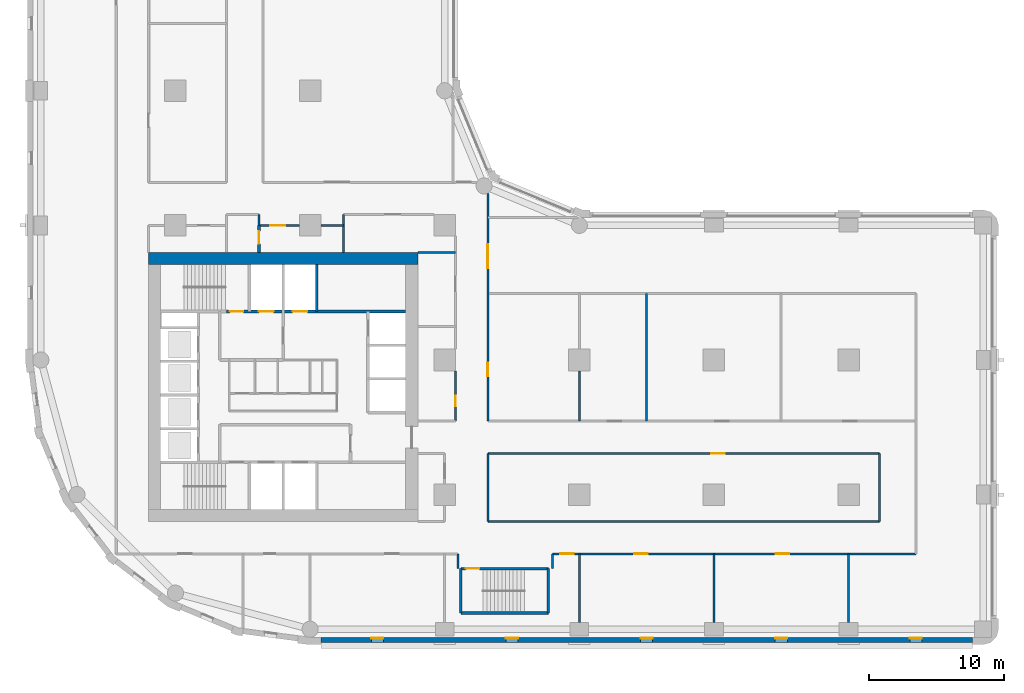
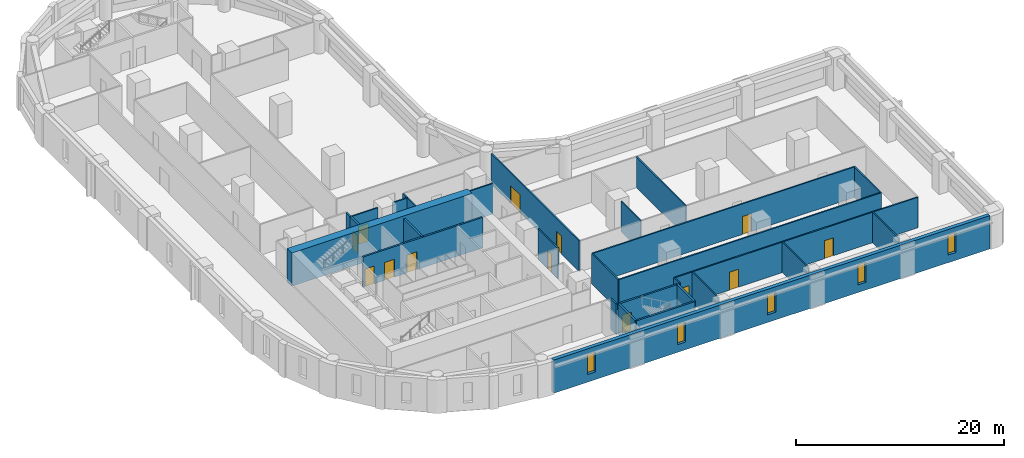
# One storey, part 4 of 11: 28 walls, 13 doors, 5 windows, 18 openings.
"""IFC4 building model written with IfcOpenShell, lengths in metres."""

from ifc_helpers import new_model, si_unit, direction, frame, frame_2d, origin, place, context, subcontext, project, spatial, rectangle, extrude, material, layer, layer_set, type_object, element, fill, save


model = new_model("IFC4")

# Units and contexts
model_context = context("Model", 3, precision=1e-05, world=origin(), true_north=direction((0.0, 1.0)))
body_context = subcontext(model_context, "Body", "Model", "MODEL_VIEW")
ifc_project = project(units=[si_unit("LENGTHUNIT", "METRE"), si_unit("AREAUNIT", "SQUARE_METRE"), si_unit("VOLUMEUNIT", "CUBIC_METRE"), si_unit("PLANEANGLEUNIT", "RADIAN"), si_unit("MASSUNIT", "GRAM", prefix="KILO")], contexts=[model_context])

# Site, building, storey
site_placement = place(None, origin())
site = spatial("IfcSite", under=ifc_project, at=site_placement, CompositionType="ELEMENT")
building_placement = place(site_placement, origin())
building = spatial("IfcBuilding", under=site, at=building_placement, Name="Qaws Garden Tower", CompositionType="ELEMENT")
storey_placement = place(building_placement, frame((0.0, 0.0, 90.0)))
storey = spatial("IfcBuildingStorey", under=building, at=storey_placement, Name="L22", CompositionType="ELEMENT", Elevation=90.0)

# Wall, opening, door
ifc_material_1 = material(Name="Blockwork", Category="masonry")
ifc_layer_1 = layer(ifc_material_1, 0.199951171875)
ifc_layer_set_1 = layer_set([ifc_layer_1], Name="Blockwork")
wall_type_1 = type_object("IfcWallType", Name="BLOCK WALL 200 EI 60", PredefinedType="PARTITIONING", material=ifc_layer_set_1)
wall_1_placement = place(storey_placement, frame((16.199951171875, 28.0, 0.0), z_axis=(0.0, 0.0, 1.0), x_axis=(0.0, 1.0, 0.0)))
wall_1 = element("IfcWall", 1, at=wall_1_placement, inside=storey, type_object=wall_type_1, Name="O-L22-wall-060", PredefinedType="PARTITIONING", context=body_context, shape_type="SweptSolid", body=[
    extrude(rectangle(XDim=2.0, YDim=0.199951171875, at=frame_2d((1.0, 0.0))), origin(), (0.0, 0.0, 1.0), 3.580078125),
])
opening_1_placement = place(wall_1_placement, frame((0.625, 0.0, 0.0)))
opening_1 = element("IfcOpeningElement", 2, at=opening_1_placement, cuts=wall_1, Name="Opening A726", PredefinedType="OPENING", context=body_context, shape_type="SweptSolid", body=[
    extrude(rectangle(XDim=0.949951171875, YDim=2.10009765625, at=frame_2d((0.47509765625, 1.050048828125))), frame((0.0, 0.10986328125, 0.0), z_axis=(0.0, -1.0, 0.0), x_axis=(1.0, 0.0, 0.0)), (0.0, 0.0, 1.0), 0.219970703125),
])
ifc_material_2 = material(Name="Timber and glass door leaf", Category="wood")
door_type_1 = type_object("IfcDoorType", Name="GLAZED DOOR 950 X 2100", OperationType="SINGLE_SWING_LEFT", PredefinedType="DOOR", material=ifc_material_2)
door_1_placement = place(opening_1_placement, origin())
door_1 = element("IfcDoor", 3, at=door_1_placement, inside=storey, type_object=door_type_1, Name="O-L22-door-026", OperationType="SINGLE_SWING_LEFT", OverallHeight=2.10009765625, OverallWidth=0.949951171875, PredefinedType="DOOR", context=body_context, shape_type="SweptSolid", body=[
    extrude(rectangle(XDim=0.949951171875, YDim=2.10009765625, at=frame_2d((0.47509765625, 1.050048828125))), frame((0.0, 0.02490234375, 0.0), z_axis=(0.0, -1.0, 0.0), x_axis=(1.0, 0.0, 0.0)), (0.0, 0.0, 1.0), 0.050048828125),
])
fill(opening_1, door_1)

# Wall, openings, windows
ifc_material_3 = material(Name="Clay facing brick masonry", Category="masonry")
ifc_layer_2 = layer(ifc_material_3, 0.39990234375)
ifc_layer_set_2 = layer_set([ifc_layer_2], Name="Clay facing brick masonry")
wall_type_2 = type_object("IfcWallType", Name="Brick infill wall 400", PredefinedType="SOLIDWALL", material=ifc_layer_set_2)
wall_2_placement = place(storey_placement, frame((20.800048828125, -0.800048828125, 0.0), z_axis=(0.0, 0.0, 1.0), x_axis=(1.0, 0.0, 0.0)))
wall_2 = element("IfcWall", 4, at=wall_2_placement, inside=storey, type_object=wall_type_2, Name="E-L22-infill-00", PredefinedType="SOLIDWALL", context=body_context, shape_type="SweptSolid", body=[
    extrude(rectangle(XDim=48.39990234375, YDim=0.39990234375, at=frame_2d((24.199951171875, 0.0))), origin(), (0.0, 0.0, 1.0), 3.89990234375),
])
opening_2_placement = place(wall_2_placement, frame((3.75, 0.0, 0.89990234375)))
opening_2 = element("IfcOpeningElement", 5, at=opening_2_placement, cuts=wall_2, Name="Opening W09", PredefinedType="OPENING", context=body_context, shape_type="SweptSolid", body=[
    extrude(rectangle(XDim=0.89990234375, YDim=2.35009765625, at=frame_2d((0.449951171875, 1.175048828125))), frame((0.0, 0.2099609375, 0.0), z_axis=(0.0, -1.0, 0.0), x_axis=(1.0, 0.0, 0.0)), (0.0, 0.0, 1.0), 0.419921875),
])
opening_3_placement = place(wall_2_placement, frame((13.75, 0.0, 0.89990234375)))
opening_3 = element("IfcOpeningElement", 6, at=opening_3_placement, cuts=wall_2, Name="Opening W09", PredefinedType="OPENING", context=body_context, shape_type="SweptSolid", body=[
    extrude(rectangle(XDim=0.89990234375, YDim=2.35009765625, at=frame_2d((0.449951171875, 1.175048828125))), frame((0.0, 0.2099609375, 0.0), z_axis=(0.0, -1.0, 0.0), x_axis=(1.0, 0.0, 0.0)), (0.0, 0.0, 1.0), 0.419921875),
])
opening_4_placement = place(wall_2_placement, frame((23.75, 0.0, 0.89990234375)))
opening_4 = element("IfcOpeningElement", 7, at=opening_4_placement, cuts=wall_2, Name="Opening W09", PredefinedType="OPENING", context=body_context, shape_type="SweptSolid", body=[
    extrude(rectangle(XDim=0.89990234375, YDim=2.35009765625, at=frame_2d((0.449951171875, 1.175048828125))), frame((0.0, 0.2099609375, 0.0), z_axis=(0.0, -1.0, 0.0), x_axis=(1.0, 0.0, 0.0)), (0.0, 0.0, 1.0), 0.419921875),
])
opening_5_placement = place(wall_2_placement, frame((33.75, 0.0, 0.89990234375)))
opening_5 = element("IfcOpeningElement", 8, at=opening_5_placement, cuts=wall_2, Name="Opening W09", PredefinedType="OPENING", context=body_context, shape_type="SweptSolid", body=[
    extrude(rectangle(XDim=0.89990234375, YDim=2.35009765625, at=frame_2d((0.449951171875, 1.175048828125))), frame((0.0, 0.2099609375, 0.0), z_axis=(0.0, -1.0, 0.0), x_axis=(1.0, 0.0, 0.0)), (0.0, 0.0, 1.0), 0.419921875),
])
opening_6_placement = place(wall_2_placement, frame((43.75, 0.0, 0.89990234375)))
opening_6 = element("IfcOpeningElement", 9, at=opening_6_placement, cuts=wall_2, Name="Opening W09", PredefinedType="OPENING", context=body_context, shape_type="SweptSolid", body=[
    extrude(rectangle(XDim=0.89990234375, YDim=2.35009765625, at=frame_2d((0.449951171875, 1.175048828125))), frame((0.0, 0.2099609375, 0.0), z_axis=(0.0, -1.0, 0.0), x_axis=(1.0, 0.0, 0.0)), (0.0, 0.0, 1.0), 0.419921875),
])
ifc_material_4 = material(Name="Aluminium framed window, clear glazing", Category="aluminium")
window_type = type_object("IfcWindowType", Name="Slit window 900 x 2350", PartitioningType="SINGLE_PANEL", PredefinedType="WINDOW", material=ifc_material_4)
window_1_placement = place(opening_2_placement, origin())
window_1 = element("IfcWindow", 10, at=window_1_placement, inside=storey, type_object=window_type, Name="E-L22-window-00-0", OverallHeight=2.35009765625, OverallWidth=0.89990234375, PartitioningType="SINGLE_PANEL", PredefinedType="WINDOW", context=body_context, shape_type="SweptSolid", body=[
    extrude(rectangle(XDim=0.89990234375, YDim=2.35009765625, at=frame_2d((0.449951171875, 1.175048828125))), frame((0.0, 0.159912109375, 0.0), z_axis=(0.0, -1.0, 0.0), x_axis=(1.0, 0.0, 0.0)), (0.0, 0.0, 1.0), 0.06005859375),
])
fill(opening_2, window_1)
window_2_placement = place(opening_3_placement, origin())
window_2 = element("IfcWindow", 11, at=window_2_placement, inside=storey, type_object=window_type, Name="E-L22-window-01-0", OverallHeight=2.35009765625, OverallWidth=0.89990234375, PartitioningType="SINGLE_PANEL", PredefinedType="WINDOW", context=body_context, shape_type="SweptSolid", body=[
    extrude(rectangle(XDim=0.89990234375, YDim=2.35009765625, at=frame_2d((0.449951171875, 1.175048828125))), frame((0.0, 0.159912109375, 0.0), z_axis=(0.0, -1.0, 0.0), x_axis=(1.0, 0.0, 0.0)), (0.0, 0.0, 1.0), 0.06005859375),
])
fill(opening_3, window_2)
window_3_placement = place(opening_4_placement, origin())
window_3 = element("IfcWindow", 12, at=window_3_placement, inside=storey, type_object=window_type, Name="E-L22-window-02-0", OverallHeight=2.35009765625, OverallWidth=0.89990234375, PartitioningType="SINGLE_PANEL", PredefinedType="WINDOW", context=body_context, shape_type="SweptSolid", body=[
    extrude(rectangle(XDim=0.89990234375, YDim=2.35009765625, at=frame_2d((0.449951171875, 1.175048828125))), frame((0.0, 0.159912109375, 0.0), z_axis=(0.0, -1.0, 0.0), x_axis=(1.0, 0.0, 0.0)), (0.0, 0.0, 1.0), 0.06005859375),
])
fill(opening_4, window_3)
window_4_placement = place(opening_5_placement, origin())
window_4 = element("IfcWindow", 13, at=window_4_placement, inside=storey, type_object=window_type, Name="E-L22-window-03-0", OverallHeight=2.35009765625, OverallWidth=0.89990234375, PartitioningType="SINGLE_PANEL", PredefinedType="WINDOW", context=body_context, shape_type="SweptSolid", body=[
    extrude(rectangle(XDim=0.89990234375, YDim=2.35009765625, at=frame_2d((0.449951171875, 1.175048828125))), frame((0.0, 0.159912109375, 0.0), z_axis=(0.0, -1.0, 0.0), x_axis=(1.0, 0.0, 0.0)), (0.0, 0.0, 1.0), 0.06005859375),
])
fill(opening_5, window_4)
window_5_placement = place(opening_6_placement, origin())
window_5 = element("IfcWindow", 14, at=window_5_placement, inside=storey, type_object=window_type, Name="E-L22-window-04-0", OverallHeight=2.35009765625, OverallWidth=0.89990234375, PartitioningType="SINGLE_PANEL", PredefinedType="WINDOW", context=body_context, shape_type="SweptSolid", body=[
    extrude(rectangle(XDim=0.89990234375, YDim=2.35009765625, at=frame_2d((0.449951171875, 1.175048828125))), frame((0.0, 0.159912109375, 0.0), z_axis=(0.0, -1.0, 0.0), x_axis=(1.0, 0.0, 0.0)), (0.0, 0.0, 1.0), 0.06005859375),
])
fill(opening_6, window_5)

# Wall
ifc_material_5 = material(Name="Concrete C80", Category="concrete")
ifc_layer_3 = layer(ifc_material_5, 0.199951171875)
ifc_layer_set_3 = layer_set([ifc_layer_3], Name="Concrete C80")
wall_type_3 = type_object("IfcWallType", Name="Core shaft wall 200 C80", PredefinedType="SHEAR", material=ifc_layer_set_3)
wall_3_placement = place(storey_placement, frame((31.199951171875, 1.199951171875, 0.0), z_axis=(0.0, 0.0, 1.0), x_axis=(1.0, 0.0, 0.0)))
element("IfcWall", 15, at=wall_3_placement, inside=storey, type_object=wall_type_3, Name="Shaft wall", PredefinedType="SHEAR", context=body_context, shape_type="SweptSolid", body=[
    extrude(rectangle(XDim=6.5, YDim=0.199951171875, at=frame_2d((3.25, 0.0))), origin(), (0.0, 0.0, 1.0), 3.580078125),
])

# Wall, opening, door
wall_4_placement = place(storey_placement, frame((31.199951171875, 4.5, 0.0), z_axis=(0.0, 0.0, 1.0), x_axis=(1.0, 0.0, 0.0)))
wall_4 = element("IfcWall", 16, at=wall_4_placement, inside=storey, type_object=wall_type_3, Name="Shaft wall", PredefinedType="SHEAR", context=body_context, shape_type="SweptSolid", body=[
    extrude(rectangle(XDim=6.5, YDim=0.199951171875, at=frame_2d((3.25, 0.0))), origin(), (0.0, 0.0, 1.0), 3.580078125),
])
opening_7_placement = place(wall_4_placement, frame((0.375, 0.0, 0.0)))
opening_7 = element("IfcOpeningElement", 17, at=opening_7_placement, cuts=wall_4, Name="Opening SD12", PredefinedType="OPENING", context=body_context, shape_type="SweptSolid", body=[
    extrude(rectangle(XDim=1.0, YDim=2.10009765625, at=frame_2d((0.5, 1.050048828125))), frame((0.0, 0.10986328125, 0.0), z_axis=(0.0, -1.0, 0.0), x_axis=(1.0, 0.0, 0.0)), (0.0, 0.0, 1.0), 0.219970703125),
])
ifc_material_6 = material(Name="Steel S235", Category="steel")
door_type_2 = type_object("IfcDoorType", Name="Stair door 1000x2100", OperationType="SINGLE_SWING_RIGHT", PredefinedType="DOOR", material=ifc_material_6)
door_2_placement = place(opening_7_placement, frame((1.0, 0.0, 0.0), z_axis=(0.0, 0.0, 1.0), x_axis=(-1.0, 0.0, 0.0)))
door_2 = element("IfcDoor", 18, at=door_2_placement, inside=storey, type_object=door_type_2, Name="Stair 5 door", OperationType="SINGLE_SWING_RIGHT", OverallHeight=2.10009765625, OverallWidth=1.0, PredefinedType="DOOR", context=body_context, shape_type="SweptSolid", body=[
    extrude(rectangle(XDim=1.0, YDim=2.10009765625, at=frame_2d((0.5, 1.050048828125))), frame((0.0, 0.02490234375, 0.0), z_axis=(0.0, -1.0, 0.0), x_axis=(1.0, 0.0, 0.0)), (0.0, 0.0, 1.0), 0.050048828125),
])
fill(opening_7, door_2)

# Wall, openings, doors
wall_5_placement = place(storey_placement, frame((13.800048828125, 23.60009765625, 0.0), z_axis=(0.0, 0.0, 1.0), x_axis=(1.0, 0.0, 0.0)))
wall_5 = element("IfcWall", 19, at=wall_5_placement, inside=storey, type_object=wall_type_3, Name="Shaft wall", PredefinedType="SHEAR", context=body_context, shape_type="SweptSolid", body=[
    extrude(rectangle(XDim=13.300048828125, YDim=0.199951171875, at=frame_2d((6.64990234375, 0.0))), origin(), (0.0, 0.0, 1.0), 3.580078125),
])
opening_8_placement = place(wall_5_placement, frame((2.39990234375, 0.0, 0.0)))
opening_8 = element("IfcOpeningElement", 20, at=opening_8_placement, cuts=wall_5, Name="Opening LD08", PredefinedType="OPENING", context=body_context, shape_type="SweptSolid", body=[
    extrude(rectangle(XDim=1.10009765625, YDim=2.10009765625, at=frame_2d((0.550048828125, 1.050048828125))), frame((0.0, 0.10986328125, 0.0), z_axis=(0.0, -1.0, 0.0), x_axis=(1.0, 0.0, 0.0)), (0.0, 0.0, 1.0), 0.219970703125),
])
opening_9_placement = place(wall_5_placement, frame((4.89990234375, 0.0, 0.0)))
opening_9 = element("IfcOpeningElement", 21, at=opening_9_placement, cuts=wall_5, Name="Opening LD09", PredefinedType="OPENING", context=body_context, shape_type="SweptSolid", body=[
    extrude(rectangle(XDim=1.10009765625, YDim=2.10009765625, at=frame_2d((0.550048828125, 1.050048828125))), frame((0.0, 0.10986328125, 0.0), z_axis=(0.0, -1.0, 0.0), x_axis=(1.0, 0.0, 0.0)), (0.0, 0.0, 1.0), 0.219970703125),
])
opening_10_placement = place(wall_5_placement, frame((0.25, 0.0, 0.0)))
opening_10 = element("IfcOpeningElement", 22, at=opening_10_placement, cuts=wall_5, Name="Opening SD11", PredefinedType="OPENING", context=body_context, shape_type="SweptSolid", body=[
    extrude(rectangle(XDim=1.0, YDim=2.10009765625, at=frame_2d((0.5, 1.050048828125))), frame((0.0, 0.10986328125, 0.0), z_axis=(0.0, -1.0, 0.0), x_axis=(1.0, 0.0, 0.0)), (0.0, 0.0, 1.0), 0.219970703125),
])
ifc_material_7 = material(Name="Steel S235", Category="steel")
door_type_3 = type_object("IfcDoorType", Name="Landing door 1100x2100", OperationType="DOUBLE_DOOR_SLIDING", PredefinedType="DOOR", material=ifc_material_7)
door_3_placement = place(opening_8_placement, origin())
door_3 = element("IfcDoor", 23, at=door_3_placement, inside=storey, type_object=door_type_3, Name="Lift FF3 landing door", OperationType="DOUBLE_DOOR_SLIDING", OverallHeight=2.10009765625, OverallWidth=1.10009765625, PredefinedType="DOOR", context=body_context, shape_type="SweptSolid", body=[
    extrude(rectangle(XDim=1.10009765625, YDim=2.10009765625, at=frame_2d((0.550048828125, 1.050048828125))), frame((0.0, 0.02490234375, 0.0), z_axis=(0.0, -1.0, 0.0), x_axis=(1.0, 0.0, 0.0)), (0.0, 0.0, 1.0), 0.050048828125),
])
fill(opening_8, door_3)
door_4_placement = place(opening_9_placement, origin())
door_4 = element("IfcDoor", 24, at=door_4_placement, inside=storey, type_object=door_type_3, Name="Lift SV2 landing door", OperationType="DOUBLE_DOOR_SLIDING", OverallHeight=2.10009765625, OverallWidth=1.10009765625, PredefinedType="DOOR", context=body_context, shape_type="SweptSolid", body=[
    extrude(rectangle(XDim=1.10009765625, YDim=2.10009765625, at=frame_2d((0.550048828125, 1.050048828125))), frame((0.0, 0.02490234375, 0.0), z_axis=(0.0, -1.0, 0.0), x_axis=(1.0, 0.0, 0.0)), (0.0, 0.0, 1.0), 0.050048828125),
])
fill(opening_9, door_4)
door_5_placement = place(opening_10_placement, origin())
door_5 = element("IfcDoor", 25, at=door_5_placement, inside=storey, type_object=door_type_2, Name="Stair 4 door", OperationType="SINGLE_SWING_RIGHT", OverallHeight=2.10009765625, OverallWidth=1.0, PredefinedType="DOOR", context=body_context, shape_type="SweptSolid", body=[
    extrude(rectangle(XDim=1.0, YDim=2.10009765625, at=frame_2d((0.5, 1.050048828125))), frame((0.0, 0.02490234375, 0.0), z_axis=(0.0, -1.0, 0.0), x_axis=(1.0, 0.0, 0.0)), (0.0, 0.0, 1.0), 0.050048828125),
])
fill(opening_10, door_5)

# Walls
wall_6_placement = place(storey_placement, frame((20.5, 23.60009765625, 0.0), z_axis=(0.0, 0.0, 1.0), x_axis=(0.0, 1.0, 0.0)))
element("IfcWall", 26, at=wall_6_placement, inside=storey, type_object=wall_type_3, Name="Shaft wall", PredefinedType="SHEAR", context=body_context, shape_type="SweptSolid", body=[
    extrude(rectangle(XDim=3.5, YDim=0.199951171875, at=frame_2d((1.75, 0.0))), origin(), (0.0, 0.0, 1.0), 3.580078125),
])
for number, where, z_axis, x_axis, name in (
    (27, (31.199951171875, 1.199951171875, 0.0), (0.0, 0.0, 1.0), (0.0, 1.0, 0.0), "Shaft wall"),
    (28, (37.699951171875, 1.199951171875, 0.0), (0.0, 0.0, 1.0), (0.0, 1.0, 0.0), "Shaft wall"),
):
    element("IfcWall", number, at=place(storey_placement, frame(where, z_axis=z_axis, x_axis=x_axis)), inside=storey, type_object=wall_type_3, Name=name, PredefinedType="SHEAR", context=body_context, shape_type="SweptSolid", body=[
        extrude(rectangle(XDim=3.300048828125, YDim=0.199951171875, at=frame_2d((1.64990234375, 0.0))), origin(), (0.0, 0.0, 1.0), 3.580078125),
    ])
ifc_material_8 = material(Name="Concrete C80", Category="concrete")
ifc_layer_4 = layer(ifc_material_8, 0.89990234375)
ifc_layer_set_4 = layer_set([ifc_layer_4], Name="Concrete C80")
wall_type_4 = type_object("IfcWallType", Name="Core wall 900 C80", PredefinedType="SHEAR", material=ifc_layer_set_4)
wall_7_placement = place(storey_placement, frame((28.0, 27.550048828125, 0.0), z_axis=(0.0, 0.0, 1.0), x_axis=(-1.0, 0.0, 0.0)))
element("IfcWall", 29, at=wall_7_placement, inside=storey, type_object=wall_type_4, Name="Core wall L22 north", PredefinedType="SHEAR", context=body_context, shape_type="SweptSolid", body=[
    extrude(rectangle(XDim=20.0, YDim=0.89990234375, at=frame_2d((10.0, 0.0))), origin(), (0.0, 0.0, 1.0), 3.89990234375),
])
ifc_material_9 = material(Name="Gypsum board partition")
ifc_layer_5 = layer(ifc_material_9, 0.14990234375)
ifc_layer_set_5 = layer_set([ifc_layer_5], Name="Gypsum board partition")
wall_type_5 = type_object("IfcWallType", Name="PARTITION 150 EI 60", PredefinedType="PARTITIONING", material=ifc_layer_set_5)
wall_8_placement = place(storey_placement, frame((16.199951171875, 30.0, 0.0), z_axis=(0.0, 0.0, 1.0), x_axis=(0.0, 1.0, 0.0)))
element("IfcWall", 30, at=wall_8_placement, inside=storey, type_object=wall_type_5, Name="O-L22-wall-008", PredefinedType="PARTITIONING", context=body_context, shape_type="SweptSolid", body=[
    extrude(rectangle(XDim=0.800048828125, YDim=0.14990234375, at=frame_2d((0.39990234375, 0.0))), origin(), (0.0, 0.0, 1.0), 3.580078125),
])
wall_9_placement = place(storey_placement, frame((22.5, 28.0, 0.0), z_axis=(0.0, 0.0, 1.0), x_axis=(0.0, 1.0, 0.0)))
element("IfcWall", 31, at=wall_9_placement, inside=storey, type_object=wall_type_5, Name="O-L22-wall-012", PredefinedType="PARTITIONING", context=body_context, shape_type="SweptSolid", body=[
    extrude(rectangle(XDim=2.800048828125, YDim=0.14990234375, at=frame_2d((1.39990234375, 0.0))), origin(), (0.0, 0.0, 1.0), 3.580078125),
])

# Wall, opening, door
wall_10_placement = place(storey_placement, frame((30.800048828125, 15.449951171875, 0.0), z_axis=(0.0, 0.0, 1.0), x_axis=(0.0, 1.0, 0.0)))
wall_10 = element("IfcWall", 32, at=wall_10_placement, inside=storey, type_object=wall_type_5, Name="O-L22-wall-018", PredefinedType="PARTITIONING", context=body_context, shape_type="SweptSolid", body=[
    extrude(rectangle(XDim=3.75, YDim=0.14990234375, at=frame_2d((1.875, 0.0))), origin(), (0.0, 0.0, 1.0), 3.580078125),
])
opening_11_placement = place(wall_10_placement, frame((1.10009765625, 0.0, 0.0)))
opening_11 = element("IfcOpeningElement", 33, at=opening_11_placement, cuts=wall_10, Name="Opening A707", PredefinedType="OPENING", context=body_context, shape_type="SweptSolid", body=[
    extrude(rectangle(XDim=0.800048828125, YDim=2.10009765625, at=frame_2d((0.39990234375, 1.050048828125))), frame((0.0, 0.0849609375, 0.0), z_axis=(0.0, -1.0, 0.0), x_axis=(1.0, 0.0, 0.0)), (0.0, 0.0, 1.0), 0.169921875),
])
ifc_material_10 = material(Name="Timber door leaf", Category="wood")
door_type_4 = type_object("IfcDoorType", Name="STORE DOOR 800 X 2100", OperationType="SINGLE_SWING_LEFT", PredefinedType="DOOR", material=ifc_material_10)
door_6_placement = place(opening_11_placement, origin())
door_6 = element("IfcDoor", 34, at=door_6_placement, inside=storey, type_object=door_type_4, Name="O-L22-door-007", OperationType="SINGLE_SWING_LEFT", OverallHeight=2.10009765625, OverallWidth=0.800048828125, PredefinedType="DOOR", context=body_context, shape_type="SweptSolid", body=[
    extrude(rectangle(XDim=0.800048828125, YDim=2.10009765625, at=frame_2d((0.39990234375, 1.050048828125))), frame((0.0, 0.02490234375, 0.0), z_axis=(0.0, -1.0, 0.0), x_axis=(1.0, 0.0, 0.0)), (0.0, 0.0, 1.0), 0.050048828125),
])
fill(opening_11, door_6)

# Walls
wall_11_placement = place(storey_placement, frame((31.0, 4.5, 0.0), z_axis=(0.0, 0.0, 1.0), x_axis=(0.0, 1.0, 0.0)))
element("IfcWall", 35, at=wall_11_placement, inside=storey, type_object=wall_type_5, Name="O-L22-wall-020", PredefinedType="PARTITIONING", context=body_context, shape_type="SweptSolid", body=[
    extrude(rectangle(XDim=1.10009765625, YDim=0.14990234375, at=frame_2d((0.550048828125, 0.0))), origin(), (0.0, 0.0, 1.0), 3.580078125),
])
wall_12_placement = place(storey_placement, frame((33.199951171875, 8.0, 0.0), z_axis=(0.0, 0.0, 1.0), x_axis=(0.0, 1.0, 0.0)))
element("IfcWall", 36, at=wall_12_placement, inside=storey, type_object=wall_type_5, Name="O-L22-wall-021", PredefinedType="PARTITIONING", context=body_context, shape_type="SweptSolid", body=[
    extrude(rectangle(XDim=5.050048828125, YDim=0.14990234375, at=frame_2d((2.52490234375, 0.0))), origin(), (0.0, 0.0, 1.0), 3.580078125),
])

# Wall, openings, doors
wall_13_placement = place(storey_placement, frame((33.199951171875, 15.449951171875, 0.0), z_axis=(0.0, 0.0, 1.0), x_axis=(0.0, 1.0, 0.0)))
wall_13 = element("IfcWall", 37, at=wall_13_placement, inside=storey, type_object=wall_type_5, Name="O-L22-wall-022", PredefinedType="PARTITIONING", context=body_context, shape_type="SweptSolid", body=[
    extrude(rectangle(XDim=16.912109375, YDim=0.14990234375, at=frame_2d((8.4560546875, 0.0))), origin(), (0.0, 0.0, 1.0), 3.580078125),
])
opening_12_placement = place(wall_13_placement, frame((11.35009765625, 0.0, 0.0)))
opening_12 = element("IfcOpeningElement", 38, at=opening_12_placement, cuts=wall_13, Name="Opening A705", PredefinedType="OPENING", context=body_context, shape_type="SweptSolid", body=[
    extrude(rectangle(XDim=1.800048828125, YDim=2.10009765625, at=frame_2d((0.89990234375, 1.050048828125))), frame((0.0, 0.0849609375, 0.0), z_axis=(0.0, -1.0, 0.0), x_axis=(1.0, 0.0, 0.0)), (0.0, 0.0, 1.0), 0.169921875),
])
opening_13_placement = place(wall_13_placement, frame((3.35009765625, 0.0, 0.0)))
opening_13 = element("IfcOpeningElement", 39, at=opening_13_placement, cuts=wall_13, Name="Opening A724", PredefinedType="OPENING", context=body_context, shape_type="SweptSolid", body=[
    extrude(rectangle(XDim=1.0, YDim=2.10009765625, at=frame_2d((0.5, 1.050048828125))), frame((0.0, 0.0849609375, 0.0), z_axis=(0.0, -1.0, 0.0), x_axis=(1.0, 0.0, 0.0)), (0.0, 0.0, 1.0), 0.169921875),
])
ifc_material_11 = material(Name="Timber door leaf", Category="wood")
door_type_5 = type_object("IfcDoorType", Name="DOUBLE DOOR 1800 X 2100", OperationType="DOUBLE_DOOR_SINGLE_SWING", PredefinedType="DOOR", material=ifc_material_11)
door_7_placement = place(opening_12_placement, frame((1.800048828125, 0.0, 0.0), z_axis=(0.0, 0.0, 1.0), x_axis=(-1.0, 0.0, 0.0)))
door_7 = element("IfcDoor", 40, at=door_7_placement, inside=storey, type_object=door_type_5, Name="O-L22-door-005", OperationType="DOUBLE_DOOR_SINGLE_SWING", OverallHeight=2.10009765625, OverallWidth=1.800048828125, PredefinedType="DOOR", context=body_context, shape_type="SweptSolid", body=[
    extrude(rectangle(XDim=1.800048828125, YDim=2.10009765625, at=frame_2d((0.89990234375, 1.050048828125))), frame((0.0, 0.02490234375, 0.0), z_axis=(0.0, -1.0, 0.0), x_axis=(1.0, 0.0, 0.0)), (0.0, 0.0, 1.0), 0.050048828125),
])
fill(opening_12, door_7)
ifc_material_12 = material(Name="Timber door leaf", Category="wood")
door_type_6 = type_object("IfcDoorType", Name="TENANCY ENTRANCE DOOR 1000 X 2100", OperationType="SINGLE_SWING_LEFT", PredefinedType="DOOR", material=ifc_material_12)
door_8_placement = place(opening_13_placement, frame((1.0, 0.0, 0.0), z_axis=(0.0, 0.0, 1.0), x_axis=(-1.0, 0.0, 0.0)))
door_8 = element("IfcDoor", 41, at=door_8_placement, inside=storey, type_object=door_type_6, Name="O-L22-door-024", OperationType="SINGLE_SWING_LEFT", OverallHeight=2.10009765625, OverallWidth=1.0, PredefinedType="DOOR", context=body_context, shape_type="SweptSolid", body=[
    extrude(rectangle(XDim=1.0, YDim=2.10009765625, at=frame_2d((0.5, 1.050048828125))), frame((0.0, 0.02490234375, 0.0), z_axis=(0.0, -1.0, 0.0), x_axis=(1.0, 0.0, 0.0)), (0.0, 0.0, 1.0), 0.050048828125),
])
fill(opening_13, door_8)

# Walls
wall_14_placement = place(storey_placement, frame((38.0, 4.5, 0.0), z_axis=(0.0, 0.0, 1.0), x_axis=(0.0, 1.0, 0.0)))
element("IfcWall", 42, at=wall_14_placement, inside=storey, type_object=wall_type_5, Name="O-L22-wall-023", PredefinedType="PARTITIONING", context=body_context, shape_type="SweptSolid", body=[
    extrude(rectangle(XDim=1.10009765625, YDim=0.14990234375, at=frame_2d((0.550048828125, 0.0))), origin(), (0.0, 0.0, 1.0), 3.580078125),
])
wall_15_placement = place(storey_placement, frame((40.0, 0.5, 0.0), z_axis=(0.0, 0.0, 1.0), x_axis=(0.0, 1.0, 0.0)))
element("IfcWall", 43, at=wall_15_placement, inside=storey, type_object=wall_type_5, Name="O-L22-wall-024", PredefinedType="PARTITIONING", context=body_context, shape_type="SweptSolid", body=[
    extrude(rectangle(XDim=5.10009765625, YDim=0.14990234375, at=frame_2d((2.550048828125, 0.0))), origin(), (0.0, 0.0, 1.0), 3.580078125),
])
wall_16_placement = place(storey_placement, frame((40.0, 15.449951171875, 0.0), z_axis=(0.0, 0.0, 1.0), x_axis=(0.0, 1.0, 0.0)))
element("IfcWall", 44, at=wall_16_placement, inside=storey, type_object=wall_type_5, Name="O-L22-wall-025", PredefinedType="PARTITIONING", context=body_context, shape_type="SweptSolid", body=[
    extrude(rectangle(XDim=3.75, YDim=0.14990234375, at=frame_2d((1.875, 0.0))), origin(), (0.0, 0.0, 1.0), 3.580078125),
])
wall_17_placement = place(storey_placement, frame((45.0, 15.449951171875, 0.0), z_axis=(0.0, 0.0, 1.0), x_axis=(0.0, 1.0, 0.0)))
element("IfcWall", 45, at=wall_17_placement, inside=storey, type_object=wall_type_5, Name="O-L22-wall-027", PredefinedType="PARTITIONING", context=body_context, shape_type="SweptSolid", body=[
    extrude(rectangle(XDim=9.5, YDim=0.14990234375, at=frame_2d((4.75, 0.0))), origin(), (0.0, 0.0, 1.0), 3.580078125),
])
for number, where, z_axis, x_axis, name in (
    (46, (50.0, 0.5, 0.0), (0.0, 0.0, 1.0), (0.0, 1.0, 0.0), "O-L22-wall-028"),
    (47, (60.0, 0.5, 0.0), (0.0, 0.0, 1.0), (0.0, 1.0, 0.0), "O-L22-wall-030"),
):
    element("IfcWall", number, at=place(storey_placement, frame(where, z_axis=z_axis, x_axis=x_axis)), inside=storey, type_object=wall_type_5, Name=name, PredefinedType="PARTITIONING", context=body_context, shape_type="SweptSolid", body=[
        extrude(rectangle(XDim=5.10009765625, YDim=0.14990234375, at=frame_2d((2.550048828125, 0.0))), origin(), (0.0, 0.0, 1.0), 3.580078125),
    ])
wall_18_placement = place(storey_placement, frame((62.300048828125, 8.0, 0.0), z_axis=(0.0, 0.0, 1.0), x_axis=(0.0, 1.0, 0.0)))
element("IfcWall", 48, at=wall_18_placement, inside=storey, type_object=wall_type_5, Name="O-L22-wall-031", PredefinedType="PARTITIONING", context=body_context, shape_type="SweptSolid", body=[
    extrude(rectangle(XDim=5.050048828125, YDim=0.14990234375, at=frame_2d((2.52490234375, 0.0))), origin(), (0.0, 0.0, 1.0), 3.580078125),
])

# Wall, openings, doors
wall_19_placement = place(storey_placement, frame((38.0, 5.60009765625, 0.0), z_axis=(0.0, 0.0, 1.0), x_axis=(1.0, 0.0, 0.0)))
wall_19 = element("IfcWall", 49, at=wall_19_placement, inside=storey, type_object=wall_type_5, Name="O-L22-wall-034", PredefinedType="PARTITIONING", context=body_context, shape_type="SweptSolid", body=[
    extrude(rectangle(XDim=27.0, YDim=0.14990234375, at=frame_2d((13.5, 0.0))), origin(), (0.0, 0.0, 1.0), 3.580078125),
])
opening_14_placement = place(wall_19_placement, frame((0.60009765625, 0.0, 0.0)))
opening_14 = element("IfcOpeningElement", 50, at=opening_14_placement, cuts=wall_19, Name="Opening A720", PredefinedType="OPENING", context=body_context, shape_type="SweptSolid", body=[
    extrude(rectangle(XDim=1.0, YDim=2.10009765625, at=frame_2d((0.5, 1.050048828125))), frame((0.0, 0.0849609375, 0.0), z_axis=(0.0, -1.0, 0.0), x_axis=(1.0, 0.0, 0.0)), (0.0, 0.0, 1.0), 0.169921875),
])
opening_15_placement = place(wall_19_placement, frame((6.10009765625, 0.0, 0.0)))
opening_15 = element("IfcOpeningElement", 51, at=opening_15_placement, cuts=wall_19, Name="Opening A721", PredefinedType="OPENING", context=body_context, shape_type="SweptSolid", body=[
    extrude(rectangle(XDim=1.0, YDim=2.10009765625, at=frame_2d((0.5, 1.050048828125))), frame((0.0, 0.0849609375, 0.0), z_axis=(0.0, -1.0, 0.0), x_axis=(1.0, 0.0, 0.0)), (0.0, 0.0, 1.0), 0.169921875),
])
opening_16_placement = place(wall_19_placement, frame((16.60009765625, 0.0, 0.0)))
opening_16 = element("IfcOpeningElement", 52, at=opening_16_placement, cuts=wall_19, Name="Opening A722", PredefinedType="OPENING", context=body_context, shape_type="SweptSolid", body=[
    extrude(rectangle(XDim=1.0, YDim=2.10009765625, at=frame_2d((0.5, 1.050048828125))), frame((0.0, 0.0849609375, 0.0), z_axis=(0.0, -1.0, 0.0), x_axis=(1.0, 0.0, 0.0)), (0.0, 0.0, 1.0), 0.169921875),
])
door_9_placement = place(opening_14_placement, frame((1.0, 0.0, 0.0), z_axis=(0.0, 0.0, 1.0), x_axis=(-1.0, 0.0, 0.0)))
door_9 = element("IfcDoor", 53, at=door_9_placement, inside=storey, type_object=door_type_6, Name="O-L22-door-020", OperationType="SINGLE_SWING_LEFT", OverallHeight=2.10009765625, OverallWidth=1.0, PredefinedType="DOOR", context=body_context, shape_type="SweptSolid", body=[
    extrude(rectangle(XDim=1.0, YDim=2.10009765625, at=frame_2d((0.5, 1.050048828125))), frame((0.0, 0.02490234375, 0.0), z_axis=(0.0, -1.0, 0.0), x_axis=(1.0, 0.0, 0.0)), (0.0, 0.0, 1.0), 0.050048828125),
])
fill(opening_14, door_9)
door_10_placement = place(opening_15_placement, frame((1.0, 0.0, 0.0), z_axis=(0.0, 0.0, 1.0), x_axis=(-1.0, 0.0, 0.0)))
door_10 = element("IfcDoor", 54, at=door_10_placement, inside=storey, type_object=door_type_6, Name="O-L22-door-021", OperationType="SINGLE_SWING_RIGHT", OverallHeight=2.10009765625, OverallWidth=1.0, PredefinedType="DOOR", context=body_context, shape_type="SweptSolid", body=[
    extrude(rectangle(XDim=1.0, YDim=2.10009765625, at=frame_2d((0.5, 1.050048828125))), frame((0.0, 0.02490234375, 0.0), z_axis=(0.0, -1.0, 0.0), x_axis=(1.0, 0.0, 0.0)), (0.0, 0.0, 1.0), 0.050048828125),
])
fill(opening_15, door_10)
door_11_placement = place(opening_16_placement, frame((1.0, 0.0, 0.0), z_axis=(0.0, 0.0, 1.0), x_axis=(-1.0, 0.0, 0.0)))
door_11 = element("IfcDoor", 55, at=door_11_placement, inside=storey, type_object=door_type_6, Name="O-L22-door-022", OperationType="SINGLE_SWING_RIGHT", OverallHeight=2.10009765625, OverallWidth=1.0, PredefinedType="DOOR", context=body_context, shape_type="SweptSolid", body=[
    extrude(rectangle(XDim=1.0, YDim=2.10009765625, at=frame_2d((0.5, 1.050048828125))), frame((0.0, 0.02490234375, 0.0), z_axis=(0.0, -1.0, 0.0), x_axis=(1.0, 0.0, 0.0)), (0.0, 0.0, 1.0), 0.050048828125),
])
fill(opening_16, door_11)

# Wall
wall_20_placement = place(storey_placement, frame((33.199951171875, 8.0, 0.0), z_axis=(0.0, 0.0, 1.0), x_axis=(1.0, 0.0, 0.0)))
element("IfcWall", 56, at=wall_20_placement, inside=storey, type_object=wall_type_5, Name="O-L22-wall-036", PredefinedType="PARTITIONING", context=body_context, shape_type="SweptSolid", body=[
    extrude(rectangle(XDim=29.10009765625, YDim=0.14990234375, at=frame_2d((14.550048828125, 0.0))), origin(), (0.0, 0.0, 1.0), 3.580078125),
])

# Wall, opening, door
wall_21_placement = place(storey_placement, frame((33.199951171875, 13.050048828125, 0.0), z_axis=(0.0, 0.0, 1.0), x_axis=(1.0, 0.0, 0.0)))
wall_21 = element("IfcWall", 57, at=wall_21_placement, inside=storey, type_object=wall_type_5, Name="O-L22-wall-038", PredefinedType="PARTITIONING", context=body_context, shape_type="SweptSolid", body=[
    extrude(rectangle(XDim=29.10009765625, YDim=0.14990234375, at=frame_2d((14.550048828125, 0.0))), origin(), (0.0, 0.0, 1.0), 3.580078125),
])
opening_17_placement = place(wall_21_placement, frame((16.60009765625, 0.0, 0.0)))
opening_17 = element("IfcOpeningElement", 58, at=opening_17_placement, cuts=wall_21, Name="Opening A723", PredefinedType="OPENING", context=body_context, shape_type="SweptSolid", body=[
    extrude(rectangle(XDim=1.0, YDim=2.10009765625, at=frame_2d((0.5, 1.050048828125))), frame((0.0, 0.0849609375, 0.0), z_axis=(0.0, -1.0, 0.0), x_axis=(1.0, 0.0, 0.0)), (0.0, 0.0, 1.0), 0.169921875),
])
door_12_placement = place(opening_17_placement, frame((1.0, 0.0, 0.0), z_axis=(0.0, 0.0, 1.0), x_axis=(-1.0, 0.0, 0.0)))
door_12 = element("IfcDoor", 59, at=door_12_placement, inside=storey, type_object=door_type_6, Name="O-L22-door-023", OperationType="SINGLE_SWING_RIGHT", OverallHeight=2.10009765625, OverallWidth=1.0, PredefinedType="DOOR", context=body_context, shape_type="SweptSolid", body=[
    extrude(rectangle(XDim=1.0, YDim=2.10009765625, at=frame_2d((0.5, 1.050048828125))), frame((0.0, 0.02490234375, 0.0), z_axis=(0.0, -1.0, 0.0), x_axis=(1.0, 0.0, 0.0)), (0.0, 0.0, 1.0), 0.050048828125),
])
fill(opening_17, door_12)

# Wall
wall_22_placement = place(storey_placement, frame((28.0, 28.0, 0.0), z_axis=(0.0, 0.0, 1.0), x_axis=(1.0, 0.0, 0.0)))
element("IfcWall", 60, at=wall_22_placement, inside=storey, type_object=wall_type_5, Name="O-L22-wall-043", PredefinedType="PARTITIONING", context=body_context, shape_type="SweptSolid", body=[
    extrude(rectangle(XDim=2.800048828125, YDim=0.14990234375, at=frame_2d((1.39990234375, 0.0))), origin(), (0.0, 0.0, 1.0), 3.580078125),
])

# Wall, opening, door
wall_23_placement = place(storey_placement, frame((16.199951171875, 30.0, 0.0), z_axis=(0.0, 0.0, 1.0), x_axis=(1.0, 0.0, 0.0)))
wall_23 = element("IfcWall", 61, at=wall_23_placement, inside=storey, type_object=wall_type_5, Name="O-L22-wall-046", PredefinedType="PARTITIONING", context=body_context, shape_type="SweptSolid", body=[
    extrude(rectangle(XDim=3.0, YDim=0.14990234375, at=frame_2d((1.5, 0.0))), origin(), (0.0, 0.0, 1.0), 3.580078125),
])
opening_18_placement = place(wall_23_placement, frame((0.85009765625, 0.0, 0.0)))
opening_18 = element("IfcOpeningElement", 62, at=opening_18_placement, cuts=wall_23, Name="Opening A710", PredefinedType="OPENING", context=body_context, shape_type="SweptSolid", body=[
    extrude(rectangle(XDim=1.10009765625, YDim=2.10009765625, at=frame_2d((0.550048828125, 1.050048828125))), frame((0.0, 0.0849609375, 0.0), z_axis=(0.0, -1.0, 0.0), x_axis=(1.0, 0.0, 0.0)), (0.0, 0.0, 1.0), 0.169921875),
])
ifc_material_13 = material(Name="Timber door leaf", Category="wood")
door_type_7 = type_object("IfcDoorType", Name="SERVICE ROOM DOOR 1100 X 2100", OperationType="SINGLE_SWING_LEFT", PredefinedType="DOOR", material=ifc_material_13)
door_13_placement = place(opening_18_placement, frame((1.10009765625, 0.0, 0.0), z_axis=(0.0, 0.0, 1.0), x_axis=(-1.0, 0.0, 0.0)))
door_13 = element("IfcDoor", 63, at=door_13_placement, inside=storey, type_object=door_type_7, Name="O-L22-door-010", OperationType="SINGLE_SWING_RIGHT", OverallHeight=2.10009765625, OverallWidth=1.10009765625, PredefinedType="DOOR", context=body_context, shape_type="SweptSolid", body=[
    extrude(rectangle(XDim=1.10009765625, YDim=2.10009765625, at=frame_2d((0.550048828125, 1.050048828125))), frame((0.0, 0.02490234375, 0.0), z_axis=(0.0, -1.0, 0.0), x_axis=(1.0, 0.0, 0.0)), (0.0, 0.0, 1.0), 0.050048828125),
])
fill(opening_18, door_13)

# Wall
wall_24_placement = place(storey_placement, frame((20.800048828125, 30.0, 0.0), z_axis=(0.0, 0.0, 1.0), x_axis=(1.0, 0.0, 0.0)))
element("IfcWall", 64, at=wall_24_placement, inside=storey, type_object=wall_type_5, Name="O-L22-wall-047", PredefinedType="PARTITIONING", context=body_context, shape_type="SweptSolid", body=[
    extrude(rectangle(XDim=1.699951171875, YDim=0.14990234375, at=frame_2d((0.85009765625, 0.0))), origin(), (0.0, 0.0, 1.0), 3.580078125),
])

save(model, "model.ifc")
